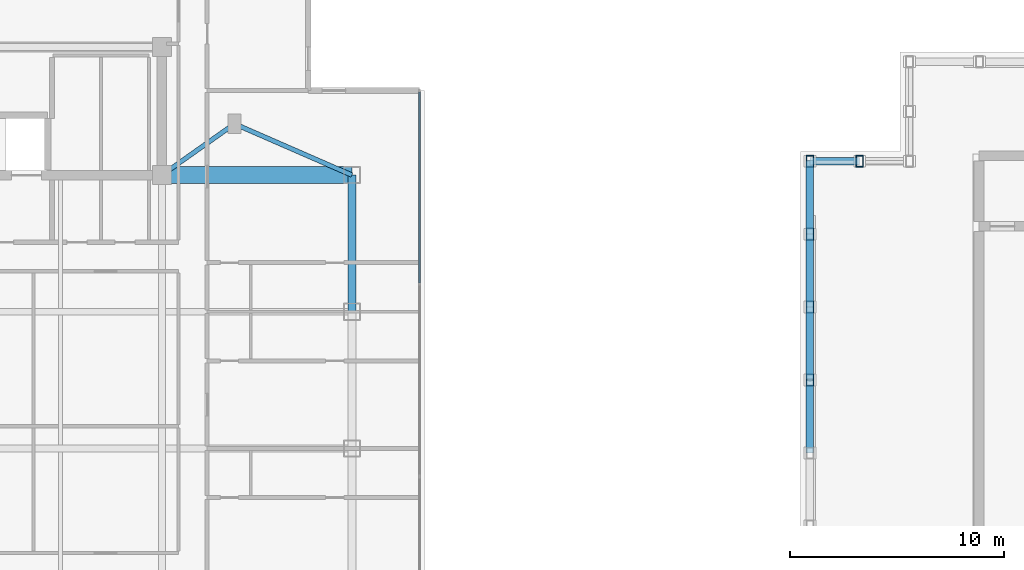
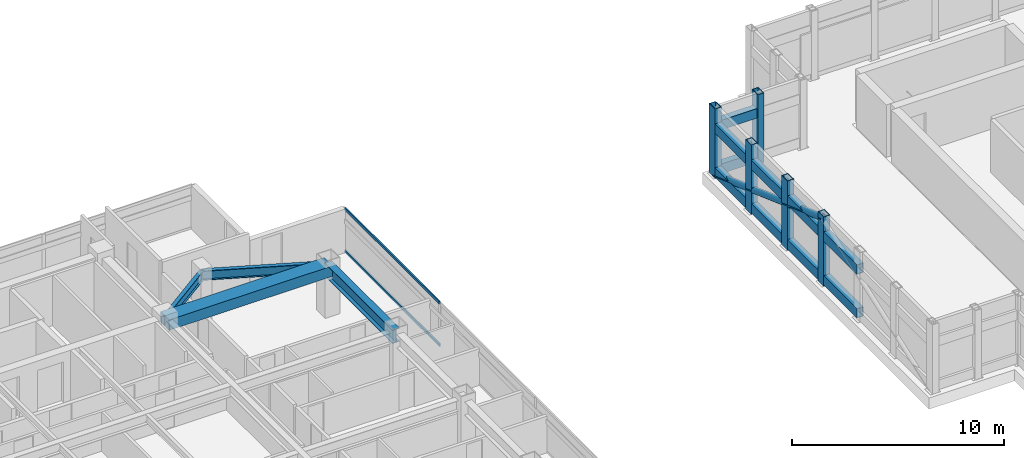
# One storey, part 5 of 17: 18 members, 4 beams, 1 element without a shape of its own.
"""IFC4 building model written with IfcOpenShell, lengths in metres."""

from ifc_helpers import new_model, si_unit, direction, frame, origin, origin_2d, place, context, subcontext, project, spatial, rectangle, hollow_rectangle, hollow_circle, i_section, extrude, material, material_profile, profile_set, type_object, element, aggregate, save


model = new_model("IFC4")

# Units and contexts
model_context = context("Model", 3, precision=1e-05, world=origin(), true_north=direction((0.0, 1.0)))
body_context = subcontext(model_context, "Body", "Model", "MODEL_VIEW")
ifc_project = project(units=[si_unit("LENGTHUNIT", "METRE"), si_unit("AREAUNIT", "SQUARE_METRE"), si_unit("VOLUMEUNIT", "CUBIC_METRE"), si_unit("PLANEANGLEUNIT", "RADIAN"), si_unit("MASSUNIT", "GRAM", prefix="KILO")], contexts=[model_context])

# Site, building, storey
site_placement = place(None, origin())
site = spatial("IfcSite", under=ifc_project, at=site_placement, CompositionType="ELEMENT")
building_placement = place(site_placement, origin())
building = spatial("IfcBuilding", under=site, at=building_placement, Name="Mirazonda Arch Towers", CompositionType="ELEMENT")
storey_placement = place(building_placement, frame((0.0, 0.0, 209.64990234375)))
storey = spatial("IfcBuildingStorey", under=building, at=storey_placement, Name="L60", CompositionType="ELEMENT", Elevation=209.64990234375)

# Beams
ifc_material_1 = material(Name="Steel ASTM A992 Grade 50", Category="steel")
ifc_material_profile_1 = material_profile(ifc_material_1, i_section(OverallWidth=0.381103515625, OverallDepth=0.77294921875, WebThickness=0.0166015625, FlangeThickness=0.027099609375, at=origin_2d()), Name="W30X173")
ifc_profile_set_1 = profile_set([ifc_material_profile_1], Name="Steel ASTM A992 Grade 50")
beam_type_1 = type_object("IfcBeamType", Name="BM-EXT-W30X173", PredefinedType="USERDEFINED", material=ifc_profile_set_1)
beam_1_placement = place(storey_placement, frame((38.89990234375, 31.199951171875, 2.503662109375), z_axis=(0.0, 1.0, 0.0), x_axis=(-1.0, 0.0, 0.0)))
element("IfcBeam", 1, at=beam_1_placement, inside=storey, type_object=beam_type_1, Name="L60 Floor Beam BMT-T1-L60-NS-E-31", ObjectType="GIRDER", PredefinedType="USERDEFINED", context=body_context, shape_type="SweptSolid", body=[
    extrude(i_section(OverallWidth=0.381103515625, OverallDepth=0.77294921875, WebThickness=0.0166015625, FlangeThickness=0.027099609375, at=origin_2d()), origin(), (0.0, 0.0, 1.0), 6.400146484375),
])
ifc_material_profile_2 = material_profile(ifc_material_1, i_section(OverallWidth=0.214111328125, OverallDepth=0.549072265625, WebThickness=0.0146484375, FlangeThickness=0.023681640625, at=origin_2d()), Name="W21X93")
ifc_profile_set_2 = profile_set([ifc_material_profile_2], Name="Steel ASTM A992 Grade 50")
beam_type_2 = type_object("IfcBeamType", Name="BM-INT-W21X93", PredefinedType="BEAM", material=ifc_profile_set_2)
beam_2_placement = place(storey_placement, frame((33.39990234375, 40.0, 2.615478515625), z_axis=(-0.816971114901, -0.576678591087, 0.0), x_axis=(0.576678591087, -0.816971114901, 0.0)))
element("IfcBeam", 2, at=beam_2_placement, inside=storey, type_object=beam_type_2, Name="L60 Floor Beam BMT-T1-L60-PL-NE1", PredefinedType="BEAM", context=body_context, shape_type="SweptSolid", body=[
    extrude(i_section(OverallWidth=0.214111328125, OverallDepth=0.549072265625, WebThickness=0.0146484375, FlangeThickness=0.023681640625, at=origin_2d()), origin(), (0.0, 0.0, 1.0), 4.16162109375),
])
beam_3_placement = place(storey_placement, frame((33.39990234375, 40.0, 2.615478515625), z_axis=(0.916545343703, -0.399930785183, 0.0), x_axis=(0.399930785183, 0.916545343703, 0.0)))
element("IfcBeam", 3, at=beam_3_placement, inside=storey, type_object=beam_type_2, Name="L60 Floor Beam BMT-T1-L60-PL-NE2", PredefinedType="BEAM", context=body_context, shape_type="SweptSolid", body=[
    extrude(i_section(OverallWidth=0.214111328125, OverallDepth=0.549072265625, WebThickness=0.0146484375, FlangeThickness=0.023681640625, at=origin_2d()), origin(), (0.0, 0.0, 1.0), 6.000732421875),
])
ifc_material_2 = material(Name="Concrete C60/75", Category="concrete")
ifc_material_profile_3 = material_profile(ifc_material_2, rectangle(XDim=0.800048828125, YDim=0.60009765625, at=origin_2d()), Name="RCCB800x600")
ifc_profile_set_3 = profile_set([ifc_material_profile_3], Name="Concrete C60/75")
beam_type_3 = type_object("IfcBeamType", Name="CB-INT-RCCB800x600", PredefinedType="SPANDREL", material=ifc_profile_set_3)
beam_4_placement = place(storey_placement, frame((30.0, 37.60009765625, 2.590087890625), z_axis=(1.0, 0.0, 0.0), x_axis=(0.0, 1.0, 0.0)))
element("IfcBeam", 4, at=beam_4_placement, inside=storey, type_object=beam_type_3, Name="L60 Floor Beam CBC-T1-L60-NE", PredefinedType="SPANDREL", context=body_context, shape_type="SweptSolid", body=[
    extrude(rectangle(XDim=0.800048828125, YDim=0.60009765625, at=origin_2d()), origin(), (0.0, 0.0, 1.0), 8.89990234375),
])

# Members
ifc_material_3 = material(Name="Steel ASTM A572 Grade 50", Category="steel")
ifc_material_profile_4 = material_profile(ifc_material_3, hollow_circle(Radius=0.177978515625, WallThickness=0.01611328125, at=origin_2d()), Name="CROWNBRACE356x16CHS")
ifc_profile_set_4 = profile_set([ifc_material_profile_4], Name="Steel ASTM A572 Grade 50")
member_type_1 = type_object("IfcMemberType", Name="MBR-EXT-CROWNBRACE356x16CHS", PredefinedType="BRACE", material=ifc_profile_set_4)
member_1_placement = place(storey_placement, frame((60.3525390625, 38.248779296875, 0.02001953125), z_axis=(0.0, -0.940575967105, 0.339583347803), x_axis=(1.0, 0.0, 0.0)))
element("IfcMember", 5, at=member_1_placement, inside=storey, type_object=member_type_1, Name="T2 Ring Crown Diagonal Brace 4A", PredefinedType="BRACE", context=body_context, shape_type="SweptSolid", body=[
    extrude(hollow_circle(Radius=0.177978515625, WallThickness=0.01611328125, at=origin_2d()), origin(), (0.0, 0.0, 1.0), 10.896240234375),
])
ifc_material_profile_5 = material_profile(ifc_material_3, hollow_rectangle(XDim=0.35009765625, YDim=0.550048828125, WallThickness=0.030029296875, at=origin_2d()), Name="CROWNFRAME550x350x30")
ifc_profile_set_5 = profile_set([ifc_material_profile_5], Name="Steel ASTM A572 Grade 50")
member_type_2 = type_object("IfcMemberType", Name="MBR-EXT-CROWNFRAME550x350x30", PredefinedType="USERDEFINED", material=ifc_profile_set_5)
for number, where, z_axis, x_axis, name in (
    (6, (62.682373046875, 38.248779296875, 0.0), (0.0, 0.0, 1.0), (1.0, 0.0, 0.0), "T2 Constructivist Ring Crown Post 32"),
    (7, (60.3525390625, 38.248779296875, 0.0), (0.0, 0.0, 1.0), (1.0, 0.0, 0.0), "T2 Constructivist Ring Crown Post 33"),
    (8, (60.3525390625, 34.83251953125, 0.0), (0.0, 0.0, 1.0), (1.0, 0.0, 0.0), "T2 Constructivist Ring Crown Post 34"),
    (9, (60.3525390625, 31.416259765625, 0.0), (0.0, 0.0, 1.0), (1.0, 0.0, 0.0), "T2 Constructivist Ring Crown Post 35"),
    (10, (60.3525390625, 28.0, 0.0), (0.0, 0.0, 1.0), (1.0, 0.0, 0.0), "T2 Constructivist Ring Crown Post 36"),
):
    element("IfcMember", number, at=place(storey_placement, frame(where, z_axis=z_axis, x_axis=x_axis)), inside=storey, type_object=member_type_2, Name=name, ObjectType="CROWN FRAME", PredefinedType="USERDEFINED", context=body_context, shape_type="SweptSolid", body=[
        extrude(hollow_rectangle(XDim=0.35009765625, YDim=0.550048828125, WallThickness=0.030029296875, at=origin_2d()), origin(), (0.0, 0.0, 1.0), 4.0),
    ])
member_2_placement = place(storey_placement, frame((62.682373046875, 38.248779296875, 0.35009765625), z_axis=(-1.0, 0.0, 0.0), x_axis=(0.0, -1.0, 0.0)))
element("IfcMember", 11, at=member_2_placement, inside=storey, type_object=member_type_2, Name="T2 Ring Crown Cap Beam 1-32", ObjectType="CROWN FRAME", PredefinedType="USERDEFINED", context=body_context, shape_type="SweptSolid", body=[
    extrude(hollow_rectangle(XDim=0.35009765625, YDim=0.550048828125, WallThickness=0.030029296875, at=origin_2d()), origin(), (0.0, 0.0, 1.0), 2.329833984375),
])
for number, where, z_axis, x_axis, name in (
    (12, (60.3525390625, 38.248779296875, 0.35009765625), (0.0, -1.0, 0.0), (1.0, 0.0, 0.0), "T2 Ring Crown Cap Beam 1-33"),
    (13, (60.3525390625, 34.83251953125, 0.35009765625), (0.0, -1.0, 0.0), (1.0, 0.0, 0.0), "T2 Ring Crown Cap Beam 1-34"),
    (14, (60.3525390625, 31.416259765625, 0.35009765625), (0.0, -1.0, 0.0), (1.0, 0.0, 0.0), "T2 Ring Crown Cap Beam 1-35"),
    (15, (60.3525390625, 28.0, 0.35009765625), (0.0, -1.0, 0.0), (1.0, 0.0, 0.0), "T2 Ring Crown Cap Beam 1-36"),
):
    element("IfcMember", number, at=place(storey_placement, frame(where, z_axis=z_axis, x_axis=x_axis)), inside=storey, type_object=member_type_2, Name=name, ObjectType="CROWN FRAME", PredefinedType="USERDEFINED", context=body_context, shape_type="SweptSolid", body=[
        extrude(hollow_rectangle(XDim=0.35009765625, YDim=0.550048828125, WallThickness=0.030029296875, at=origin_2d()), origin(), (0.0, 0.0, 1.0), 3.416259765625),
    ])
member_3_placement = place(storey_placement, frame((62.682373046875, 38.248779296875, 2.8701171875), z_axis=(-1.0, 0.0, 0.0), x_axis=(0.0, -1.0, 0.0)))
element("IfcMember", 16, at=member_3_placement, inside=storey, type_object=member_type_2, Name="T2 Ring Crown Cap Beam 2-32", ObjectType="CROWN FRAME", PredefinedType="USERDEFINED", context=body_context, shape_type="SweptSolid", body=[
    extrude(hollow_rectangle(XDim=0.35009765625, YDim=0.550048828125, WallThickness=0.030029296875, at=origin_2d()), origin(), (0.0, 0.0, 1.0), 2.329833984375),
])
for number, where, z_axis, x_axis, name in (
    (17, (60.3525390625, 38.248779296875, 2.8701171875), (0.0, -1.0, 0.0), (1.0, 0.0, 0.0), "T2 Ring Crown Cap Beam 2-33"),
    (18, (60.3525390625, 34.83251953125, 2.8701171875), (0.0, -1.0, 0.0), (1.0, 0.0, 0.0), "T2 Ring Crown Cap Beam 2-34"),
    (19, (60.3525390625, 31.416259765625, 2.8701171875), (0.0, -1.0, 0.0), (1.0, 0.0, 0.0), "T2 Ring Crown Cap Beam 2-35"),
    (20, (60.3525390625, 28.0, 2.8701171875), (0.0, -1.0, 0.0), (1.0, 0.0, 0.0), "T2 Ring Crown Cap Beam 2-36"),
):
    element("IfcMember", number, at=place(storey_placement, frame(where, z_axis=z_axis, x_axis=x_axis)), inside=storey, type_object=member_type_2, Name=name, ObjectType="CROWN FRAME", PredefinedType="USERDEFINED", context=body_context, shape_type="SweptSolid", body=[
        extrude(hollow_rectangle(XDim=0.35009765625, YDim=0.550048828125, WallThickness=0.030029296875, at=origin_2d()), origin(), (0.0, 0.0, 1.0), 3.416259765625),
    ])

# Curtain wall, members
ifc_material_4 = material(Name="Anodised Aluminium and Low-E Glass", Category="aluminium")
curtain_wall_type = type_object("IfcCurtainWallType", Name="CW-RES-UNIT", PredefinedType="NOTDEFINED", material=ifc_material_4)
curtain_wall_placement = place(storey_placement, origin())
curtain_wall = element("IfcCurtainWall", 21, at=curtain_wall_placement, inside=storey, type_object=curtain_wall_type, Name="L60 T1 E Facade CW-L60-T1-E", PredefinedType="NOTDEFINED")
ifc_material_5 = material(Name="Anodised Aluminium Alloy", Category="aluminium")
ifc_material_profile_6 = material_profile(ifc_material_5, rectangle(XDim=0.074951171875, YDim=0.155029296875, at=origin_2d()), Name="ALU-TRAN-75x155")
ifc_profile_set_6 = profile_set([ifc_material_profile_6], Name="Anodised Aluminium Alloy")
member_type_3 = type_object("IfcMemberType", Name="TRAN-CW-RES-UNIT", PredefinedType="USERDEFINED", material=ifc_profile_set_6)
member_4_placement = place(storey_placement, frame((42.070068359375, 32.55712890625, 0.03759765625), z_axis=(0.0, 1.0, 0.0), x_axis=(-1.0, 0.0, 0.0)))
member_4 = element("IfcMember", 22, at=member_4_placement, type_object=member_type_3, Name="CW-104 transom 3.1", ObjectType="TRANSOM", PredefinedType="USERDEFINED", context=body_context, shape_type="SweptSolid", body=[
    extrude(rectangle(XDim=0.074951171875, YDim=0.155029296875, at=origin_2d()), origin(), (0.0, 0.0, 1.0), 8.9267578125),
])
member_5_placement = place(storey_placement, frame((42.070068359375, 32.55712890625, 2.47265625), z_axis=(0.0, 1.0, 0.0), x_axis=(-1.0, 0.0, 0.0)))
member_5 = element("IfcMember", 23, at=member_5_placement, type_object=member_type_3, Name="CW-104 transom 3.2", ObjectType="TRANSOM", PredefinedType="USERDEFINED", context=body_context, shape_type="SweptSolid", body=[
    extrude(rectangle(XDim=0.074951171875, YDim=0.155029296875, at=origin_2d()), origin(), (0.0, 0.0, 1.0), 8.9267578125),
])
aggregate(curtain_wall, [member_4, member_5])

save(model, "model.ifc")
